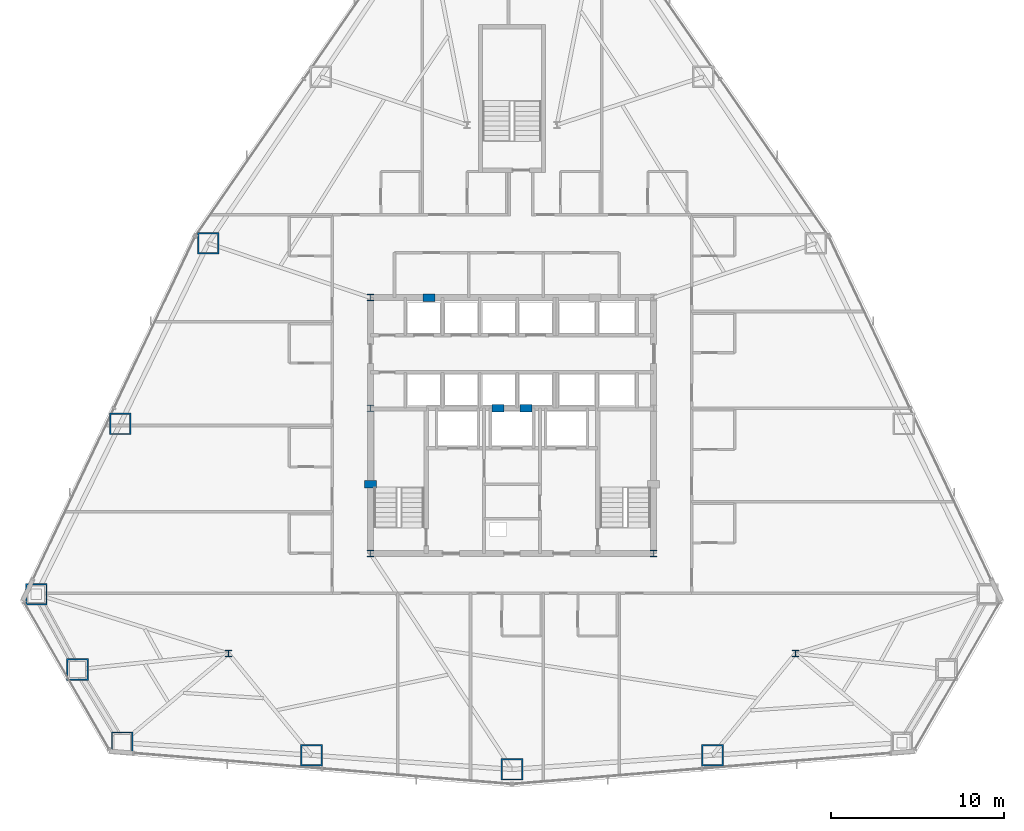
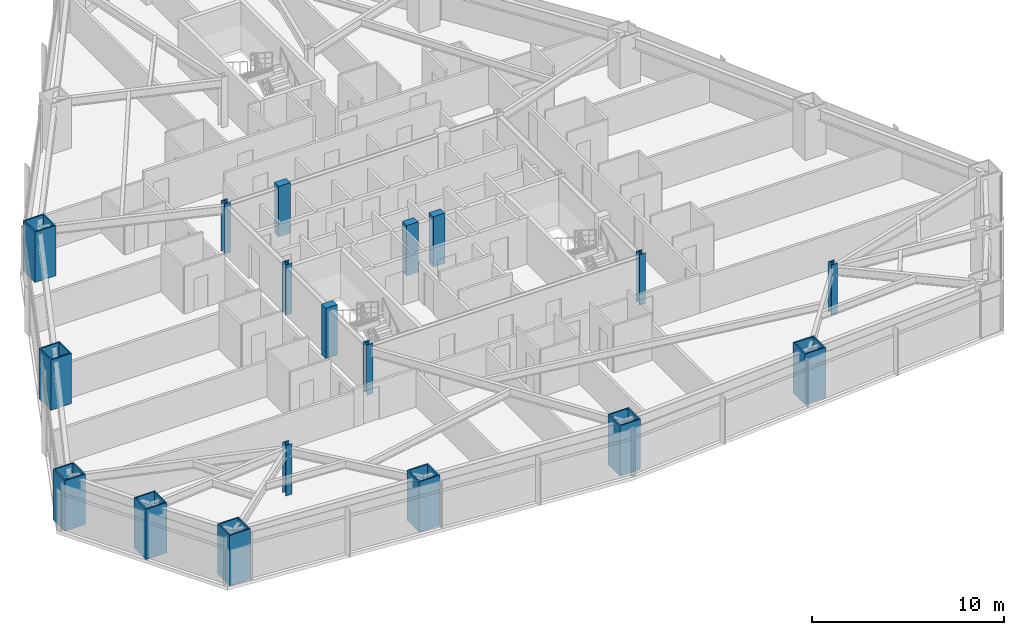
# One storey, part 1 of 13: 18 columns.
"""IFC4 building model written with IfcOpenShell, lengths in metres."""

from ifc_helpers import new_model, si_unit, direction, frame, origin, origin_2d, place, context, subcontext, project, spatial, rectangle, hollow_rectangle, i_section, extrude, material, material_profile, profile_set, type_object, element, save


model = new_model("IFC4")

# Units and contexts
model_context = context("Model", 3, precision=1e-05, world=origin(), true_north=direction((0.0, 1.0)))
body_context = subcontext(model_context, "Body", "Model", "MODEL_VIEW")
ifc_project = project(units=[si_unit("LENGTHUNIT", "METRE"), si_unit("AREAUNIT", "SQUARE_METRE"), si_unit("VOLUMEUNIT", "CUBIC_METRE"), si_unit("PLANEANGLEUNIT", "RADIAN"), si_unit("MASSUNIT", "GRAM", prefix="KILO")], contexts=[model_context])

# Site, building, storey
site_placement = place(None, origin())
site = spatial("IfcSite", under=ifc_project, at=site_placement, CompositionType="ELEMENT")
building_placement = place(site_placement, origin())
building = spatial("IfcBuilding", under=site, at=building_placement, Name="Varakhsha Concourse Tower", CompositionType="ELEMENT")
storey_placement = place(building_placement, frame((0.0, 0.0, 46.39990234375)))
storey = spatial("IfcBuildingStorey", under=building, at=storey_placement, Name="L12", CompositionType="ELEMENT", Elevation=46.39990234375)

# Columns
ifc_material_1 = material(Name="Structural Steel ASTM A992 Grade 50", Category="steel")
ifc_material_profile_1 = material_profile(ifc_material_1, i_section(OverallWidth=0.3740234375, OverallDepth=0.3720703125, WebThickness=0.01611328125, FlangeThickness=0.02587890625, at=origin_2d()), Name="W14X132")
ifc_profile_set_1 = profile_set([ifc_material_profile_1], Name="Structural Steel ASTM A992 Grade 50")
column_type_1 = type_object("IfcColumnType", Name="CL-CORE-W14X132", PredefinedType="COLUMN", material=ifc_profile_set_1)
for number, where, z_axis, x_axis, name in (
    (1, (31.800048828125, 16.39990234375, 0.0), (0.0, 0.0, 1.0), (1.0, 0.0, 0.0), "L12 Core Column CC-SW"),
    (2, (48.199951171875, 16.39990234375, 0.0), (0.0, 0.0, 1.0), (1.0, 0.0, 0.0), "L12 Core Column CC-SE"),
    (3, (31.800048828125, 24.800048828125, 0.0), (0.0, 0.0, 1.0), (1.0, 0.0, 0.0), "L12 Core Column CC-MW"),
    (4, (31.800048828125, 31.199951171875, 0.0), (0.0, 0.0, 1.0), (1.0, 0.0, 0.0), "L12 Core Column CC-NW"),
    (5, (23.60009765625, 10.60009765625, 0.0), (0.0, 0.0, 1.0), (1.0, 0.0, 0.0), "L12 Core Column SS-W"),
    (6, (56.39990234375, 10.60009765625, 0.0), (0.0, 0.0, 1.0), (1.0, 0.0, 0.0), "L12 Core Column SS-E"),
):
    element("IfcColumn", number, at=place(storey_placement, frame(where, z_axis=z_axis, x_axis=x_axis)), inside=storey, type_object=column_type_1, Name=name, PredefinedType="COLUMN", context=body_context, shape_type="SweptSolid", body=[
        extrude(i_section(OverallWidth=0.3740234375, OverallDepth=0.3720703125, WebThickness=0.01611328125, FlangeThickness=0.02587890625, at=origin_2d()), origin(), (0.0, 0.0, 1.0), 3.2001953125),
    ])
ifc_material_2 = material(Name="Concrete fc 65 MPa", Category="concrete")
ifc_material_profile_2 = material_profile(ifc_material_2, rectangle(XDim=0.699951171875, YDim=0.449951171875, at=origin_2d()), Name="RC 700x450")
ifc_profile_set_2 = profile_set([ifc_material_profile_2], Name="Concrete fc 65 MPa")
column_type_2 = type_object("IfcColumnType", Name="CL-PIL-700X450", PredefinedType="PILASTER", material=ifc_profile_set_2)
for number, where, z_axis, x_axis, name in (
    (7, (31.800048828125, 20.39990234375, 0.0), (0.0, 0.0, 1.0), (1.0, 0.0, 0.0), "L12 Core Boundary Pilaster PIL-W1"),
    (8, (35.199951171875, 31.199951171875, 0.0), (0.0, 0.0, 1.0), (1.0, 0.0, 0.0), "L12 Core Boundary Pilaster PIL-N1"),
    (9, (39.199951171875, 24.800048828125, 0.0), (0.0, 0.0, 1.0), (1.0, 0.0, 0.0), "L12 Core Boundary Pilaster PIL-M1"),
    (10, (40.800048828125, 24.800048828125, 0.0), (0.0, 0.0, 1.0), (1.0, 0.0, 0.0), "L12 Core Boundary Pilaster PIL-M2"),
):
    element("IfcColumn", number, at=place(storey_placement, frame(where, z_axis=z_axis, x_axis=x_axis)), inside=storey, type_object=column_type_2, Name=name, PredefinedType="PILASTER", context=body_context, shape_type="SweptSolid", body=[
        extrude(rectangle(XDim=0.699951171875, YDim=0.449951171875, at=origin_2d()), origin(), (0.0, 0.0, 1.0), 3.2001953125),
    ])
ifc_material_3 = material(Name="Structural Steel ASTM A572 Grade 50", Category="steel")
ifc_material_profile_3 = material_profile(ifc_material_3, hollow_rectangle(XDim=1.25, YDim=1.25, WallThickness=0.080078125, at=origin_2d()), Name="BOX 1250x1250x80")
ifc_profile_set_3 = profile_set([ifc_material_profile_3], Name="Structural Steel ASTM A572 Grade 50")
column_type_3 = type_object("IfcColumnType", Name="CL-TUBE-1250", PredefinedType="COLUMN", material=ifc_profile_set_3)
for number, where, z_axis, x_axis, name in (
    (11, (22.4189453125, 34.350341796875, 0.0), (0.0, 0.0, 1.0), (1.0, 0.0, 0.0), "L12 Framed-Tube Column TC05"),
    (12, (17.330078125, 23.893310546875, 0.0), (0.0, 0.0, 1.0), (1.0, 0.0, 0.0), "L12 Framed-Tube Column TC06"),
    (13, (12.47607421875, 14.033447265625, 0.0), (0.0, 0.0, 1.0), (1.0, 0.0, 0.0), "L12 Framed-Tube Column TC07"),
    (14, (14.853271484375, 9.681396484375, 0.0), (0.0, 0.0, 1.0), (1.0, 0.0, 0.0), "L12 Framed-Tube Column TC08"),
    (15, (17.43359375, 5.44677734375, 0.0), (0.0, 0.0, 1.0), (1.0, 0.0, 0.0), "L12 Framed-Tube Column TC09"),
    (16, (28.3994140625, 4.720703125, 0.0), (0.0, 0.0, 1.0), (1.0, 0.0, 0.0), "L12 Framed-Tube Column TC10"),
    (17, (40.0, 3.899169921875, 0.0), (0.0, 0.0, 1.0), (1.0, 0.0, 0.0), "L12 Framed-Tube Column TC11"),
    (18, (51.6005859375, 4.720703125, 0.0), (0.0, 0.0, 1.0), (1.0, 0.0, 0.0), "L12 Framed-Tube Column TC12"),
):
    element("IfcColumn", number, at=place(storey_placement, frame(where, z_axis=z_axis, x_axis=x_axis)), inside=storey, type_object=column_type_3, Name=name, PredefinedType="COLUMN", context=body_context, shape_type="SweptSolid", body=[
        extrude(hollow_rectangle(XDim=1.25, YDim=1.25, WallThickness=0.080078125, at=origin_2d()), origin(), (0.0, 0.0, 1.0), 3.2001953125),
    ])

save(model, "model.ifc")
